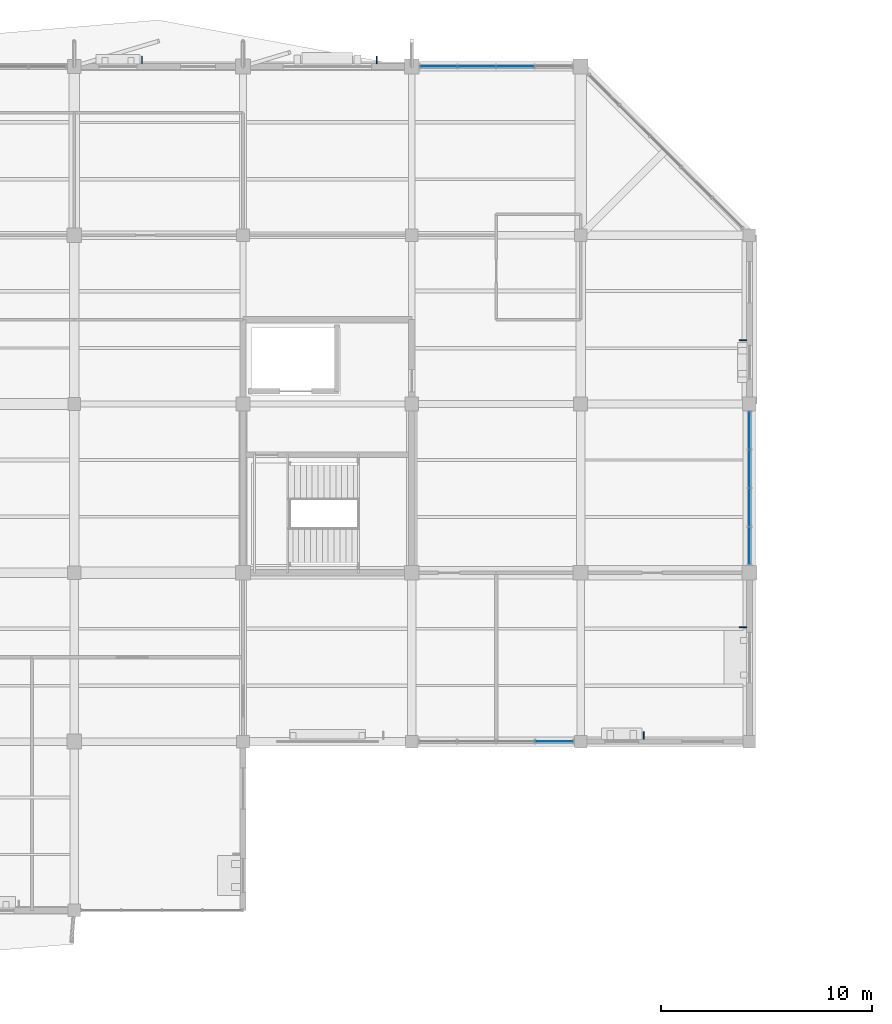
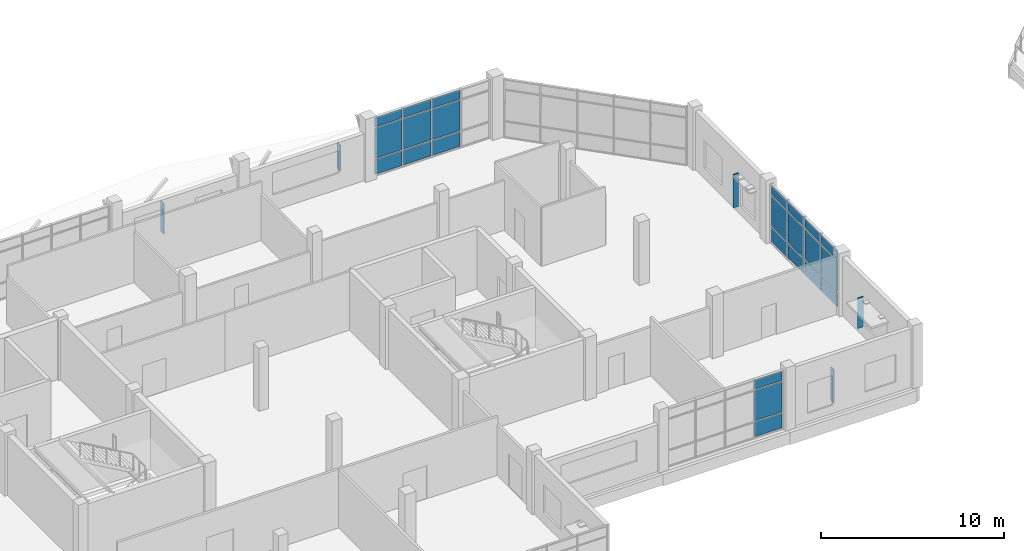
# One storey, part 65 of 84: 29 plates, 3 elements without a shape of their own.
"""IFC4 building model written with IfcOpenShell, lengths in metres."""

import ifcopenshell
import ifcopenshell.guid

model = None  # the IFC model being written
_history = None  # IfcOwnerHistory: only IFC2X3 demands one
_inside = {}  # id of a spatial element -> (the spatial element, [elements in it])
_under = {}  # id of a project, library or spatial element -> (it, [spatial elements below it])
_declared = {}  # id of a project -> (the project, [libraries it declares])
_typed = {}  # id of a type object -> (the type object, [elements of that type])
_made_of = {}  # id of a material, layer set ... -> (it, [elements and type objects made of it])


def new_model(schema):
    """Start an empty IFC model of exactly this schema.

    Asked for "IFC4X3", IfcOpenShell would pick the latest addendum, in which some entities
    have other attributes; the version numbers below select the first issue.
    IFC2X3 requires an IfcOwnerHistory on every rooted entity: one is made here for all.
    """
    global model, _history
    if schema == "IFC4X3":
        model = ifcopenshell.file(schema_version=(4, 3, 0, 0))
    else:
        model = ifcopenshell.file(schema=schema)
    _inside.clear()
    _under.clear()
    _declared.clear()
    _typed.clear()
    _made_of.clear()
    _history = None
    if model.schema == "IFC2X3":
        org = make("IfcOrganization", Name="unknown")
        user = make(
            "IfcPersonAndOrganization",
            ThePerson=make("IfcPerson", FamilyName="unknown"),
            TheOrganization=org,
        )
        app = make(
            "IfcApplication",
            ApplicationDeveloper=org,
            Version="unknown",
            ApplicationFullName="unknown",
            ApplicationIdentifier="unknown",
        )
        _history = make(
            "IfcOwnerHistory",
            OwningUser=user,
            OwningApplication=app,
            ChangeAction="ADDED",
            CreationDate=0,
        )
    return model


def make(cls, **values):
    """One entity of the class cls with the attributes given. An attribute that is None is left unset."""
    return model.create_entity(
        cls, **{name: value for name, value in values.items() if value is not None}
    )


def rooted(cls, **values):
    """An entity with a GlobalId (a new one), such as an element, a storey or a relation."""
    return make(cls, GlobalId=ifcopenshell.guid.new(), OwnerHistory=_history, **values)


def si_unit(unit_type, name, prefix=None):
    """IfcSIUnit, for example si_unit("LENGTHUNIT", "METRE", prefix="MILLI")."""
    return make("IfcSIUnit", UnitType=unit_type, Prefix=prefix, Name=name)


def assignment(units):
    """IfcUnitAssignment: the units of a project."""
    return None if units is None else make("IfcUnitAssignment", Units=units)


def point(xyz):
    """IfcCartesianPoint."""
    return None if xyz is None else make("IfcCartesianPoint", Coordinates=xyz)


def direction(xyz):
    """IfcDirection."""
    return None if xyz is None else make("IfcDirection", DirectionRatios=xyz)


def frame(location, z_axis=None, x_axis=None):
    """IfcAxis2Placement3D, a coordinate frame: its origin and axes. An axis left out is left unset."""
    return make(
        "IfcAxis2Placement3D",
        Location=point(location),
        Axis=direction(z_axis),
        RefDirection=direction(x_axis),
    )


def frame_2d(location, x_axis=None):
    """IfcAxis2Placement2D, a coordinate frame in the plane: its origin and x axis."""
    return make(
        "IfcAxis2Placement2D", Location=point(location), RefDirection=direction(x_axis)
    )


def origin():
    """The frame at (0, 0, 0) with its axes left unset."""
    return frame((0.0, 0.0, 0.0))


def origin_2d():
    """The frame at (0, 0) in the plane with its x axis left unset."""
    return frame_2d((0.0, 0.0))


def place(relative_to, where):
    """IfcLocalPlacement: puts the frame where relative to a parent placement (None: the world)."""
    return make(
        "IfcLocalPlacement", PlacementRelTo=relative_to, RelativePlacement=where
    )


def context(
    kind, dimensions, precision=None, world=None, true_north=None, identifier=None
):
    """IfcGeometricRepresentationContext, for example the 3D "Model" context."""
    return make(
        "IfcGeometricRepresentationContext",
        ContextIdentifier=identifier,
        ContextType=kind,
        CoordinateSpaceDimension=dimensions,
        Precision=precision,
        WorldCoordinateSystem=world,
        TrueNorth=true_north,
    )


def subcontext(parent, identifier, kind, view, scale=None):
    """IfcGeometricRepresentationSubContext, for example "Body" below "Model"."""
    return make(
        "IfcGeometricRepresentationSubContext",
        ContextIdentifier=identifier,
        ContextType=kind,
        ParentContext=parent,
        TargetScale=scale,
        TargetView=view,
    )


def project(units=None, contexts=None):
    """IfcProject with its units and contexts."""
    return rooted(
        "IfcProject",
        Name="project",
        RepresentationContexts=contexts,
        UnitsInContext=assignment(units),
    )


def spatial(cls, under=None, at=None, **own):
    """A site, building, storey or space (cls), placed at a placement, below another one or the project."""
    s = rooted(cls, ObjectPlacement=at, **own)
    if under is not None:
        _under.setdefault(under.id(), (under, []))[1].append(s)
    return s


def profile(cls, at=None, kind="AREA", **sizes):
    """A parametric profile (cls). Its sizes go by their IFC names, for example OverallWidth=200.0."""
    return make(cls, ProfileType=kind, Position=at, **sizes)


def rectangle(**sizes):
    """IfcRectangleProfileDef."""
    return profile("IfcRectangleProfileDef", **sizes)


def extrude(swept, where, along, depth):
    """IfcExtrudedAreaSolid: the profile swept, set in the frame where, extruded along a direction by depth."""
    return make(
        "IfcExtrudedAreaSolid",
        SweptArea=swept,
        Position=where,
        ExtrudedDirection=direction(along),
        Depth=depth,
    )


def shape(context_of_items, identifier, shape_type, items):
    """IfcShapeRepresentation: the items that make up one representation, for example the "Body"."""
    return make(
        "IfcShapeRepresentation",
        ContextOfItems=context_of_items,
        RepresentationIdentifier=identifier,
        RepresentationType=shape_type,
        Items=items,
    )


def material(Name=None, Category=None):
    """IfcMaterial."""
    return make("IfcMaterial", Name=Name, Category=Category)


def layer(
    of_material, thickness, ventilated=None, Name=None, Category=None, Priority=None
):
    """IfcMaterialLayer: one layer of a wall or slab, of a material (None: an air gap)."""
    return make(
        "IfcMaterialLayer",
        Material=of_material,
        LayerThickness=thickness,
        IsVentilated=ventilated,
        Name=Name,
        Category=Category,
        Priority=Priority,
    )


def layer_set(layers, Name=None):
    """IfcMaterialLayerSet."""
    return make("IfcMaterialLayerSet", MaterialLayers=layers, LayerSetName=Name)


def made_of(thing, what):
    """Note that an element or type object is made of a material, layer set ...; save() writes the relation."""
    if what is not None:
        _made_of.setdefault(what.id(), (what, []))[1].append(thing)
    return thing


def type_object(cls, material=None, **own):
    """A type object (cls), such as IfcWallType, which elements share."""
    return made_of(rooted(cls, **own), material)


def element(
    cls,
    number,
    at=None,
    inside=None,
    cuts=None,
    type_object=None,
    material=None,
    context=None,
    identifier="Body",
    shape_type=None,
    held_by="IfcProductDefinitionShape",
    body=None,
    shapes=None,
    **own,
):
    """One element of the class cls, such as IfcWall. Its Tag is "e" and its number.

    at: its placement. inside: the storey or other place that contains it. cuts: it is an
    opening in that element (IfcRelVoidsElement). A single representation is given by context,
    identifier, shape_type and body (its items); several are given by shapes. held_by: the class
    of the entity that holds the representations. save() writes the other relations.
    """
    e = rooted(cls, Tag="e%d" % number, ObjectPlacement=at, **own)
    if body is not None:
        shapes = [shape(context, identifier, shape_type, body)]
    if shapes is not None:
        e.Representation = make(held_by, Representations=shapes)
    if inside is not None:
        _inside.setdefault(inside.id(), (inside, []))[1].append(e)
    if cuts is not None:
        rooted(
            "IfcRelVoidsElement", RelatingBuildingElement=cuts, RelatedOpeningElement=e
        )
    if type_object is not None:
        _typed.setdefault(type_object.id(), (type_object, []))[1].append(e)
    return made_of(e, material)


def aggregate(whole, parts):
    """IfcRelAggregates: a whole, such as a stair, and the parts it consists of."""
    return rooted("IfcRelAggregates", RelatingObject=whole, RelatedObjects=parts)


def save(model, path):
    """Write the relations noted so far, then the file.

    IfcRelAggregates (storeys below a building ...), IfcRelContainedInSpatialStructure (elements
    in a storey), IfcRelDefinesByType, IfcRelAssociatesMaterial and IfcRelDeclares: one each for
    every whole, place, type object, material and project.
    """
    for whole, parts in _under.values():
        aggregate(whole, parts)
    for where, things in _inside.values():
        rooted(
            "IfcRelContainedInSpatialStructure",
            RelatedElements=things,
            RelatingStructure=where,
        )
    for kind, things in _typed.values():
        rooted("IfcRelDefinesByType", RelatedObjects=things, RelatingType=kind)
    for what, things in _made_of.values():
        rooted("IfcRelAssociatesMaterial", RelatedObjects=things, RelatingMaterial=what)
    for by, libraries in _declared.values():
        rooted("IfcRelDeclares", RelatingContext=by, RelatedDefinitions=libraries)
    model.write(path)


model = new_model("IFC4")

# Units and contexts
model_context = context("Model", 3, precision=1e-05, world=origin(), true_north=direction((0.0, 1.0)))
body_context = subcontext(model_context, "Body", "Model", "MODEL_VIEW")
ifc_project = project(units=[si_unit("LENGTHUNIT", "METRE"), si_unit("AREAUNIT", "SQUARE_METRE"), si_unit("VOLUMEUNIT", "CUBIC_METRE"), si_unit("PLANEANGLEUNIT", "RADIAN"), si_unit("MASSUNIT", "GRAM", prefix="KILO")], contexts=[model_context])

# Site, building, storey
site_placement = place(None, origin())
site = spatial("IfcSite", under=ifc_project, at=site_placement, CompositionType="ELEMENT")
building_placement = place(site_placement, origin())
building = spatial("IfcBuilding", under=site, at=building_placement, Name="Tenunan Teduh Sports Hall", CompositionType="ELEMENT")
storey_placement = place(building_placement, frame((0.0, 0.0, 10.800048828125)))
storey = spatial("IfcBuildingStorey", under=building, at=storey_placement, Name="L02", CompositionType="ELEMENT", Elevation=10.800048828125)

# Curtain wall, plates
ifc_material_1 = material(Name="Anodised aluminium", Category="aluminium")
curtain_wall_type = type_object("IfcCurtainWallType", Name="CW-UNIT-2", PredefinedType="NOTDEFINED", material=ifc_material_1)
curtain_wall_1_placement = place(storey_placement, origin())
curtain_wall_1 = element("IfcCurtainWall", 1, at=curtain_wall_1_placement, inside=storey, type_object=curtain_wall_type, Name="CW-CWM-200-L02-212", PredefinedType="NOTDEFINED")
ifc_material_2 = material(Name="Low-E laminated double glazing", Category="glass")
ifc_layer_1 = layer(ifc_material_2, 0.028076171875)
ifc_layer_set_1 = layer_set([ifc_layer_1], Name="Low-E laminated double glazing")
plate_type_1 = type_object("IfcPlateType", Name="CWP-GLZ-28", PredefinedType="CURTAIN_PANEL", material=ifc_layer_set_1)
plate_1_placement = place(storey_placement, frame((68.757568359375, 86.0, 1.134765625), z_axis=(0.0, 0.0, 1.0), x_axis=(1.0, 0.0, 0.0)))
plate_1 = element("IfcPlate", 2, at=plate_1_placement, type_object=plate_type_1, Name="CW-02 panel 4.2", PredefinedType="CURTAIN_PANEL", context=body_context, shape_type="SweptSolid", body=[
    extrude(rectangle(XDim=1.7451171875, YDim=0.028076171875, at=origin_2d()), origin(), (0.0, 0.0, 1.0), 2.030029296875),
])
plate_2_placement = place(storey_placement, frame((68.757568359375, 86.0, 3.23486328125), z_axis=(0.0, 0.0, 1.0), x_axis=(1.0, 0.0, 0.0)))
plate_2 = element("IfcPlate", 3, at=plate_2_placement, type_object=plate_type_1, Name="CW-02 panel 4.3", PredefinedType="CURTAIN_PANEL", context=body_context, shape_type="SweptSolid", body=[
    extrude(rectangle(XDim=1.7451171875, YDim=0.028076171875, at=origin_2d()), origin(), (0.0, 0.0, 1.0), 0.614990234375),
])

curtain_wall_2_placement = place(storey_placement, origin())
curtain_wall_2 = element("IfcCurtainWall", 4, at=curtain_wall_2_placement, inside=storey, type_object=curtain_wall_type, Name="CW-CWM-220-L02-213", PredefinedType="NOTDEFINED")
ifc_material_3 = material(Name="Solar-control laminated glazing", Category="glass")
ifc_layer_2 = layer(ifc_material_3, 0.031982421875)
ifc_layer_set_2 = layer_set([ifc_layer_2], Name="Solar-control laminated glazing")
plate_type_2 = type_object("IfcPlateType", Name="CWP-GLZ-32", PredefinedType="CURTAIN_PANEL", material=ifc_layer_set_2)
plate_3_placement = place(storey_placement, frame((78.0, 95.284423828125, 1.137451171875), z_axis=(0.0, 0.0, 1.0), x_axis=(0.0, 1.0, 0.0)))
plate_3 = element("IfcPlate", 5, at=plate_3_placement, type_object=plate_type_2, Name="CW-02 panel 1.2", PredefinedType="CURTAIN_PANEL", context=body_context, shape_type="SweptSolid", body=[
    extrude(rectangle(XDim=1.71875, YDim=0.031982421875, at=origin_2d()), origin(), (0.0, 0.0, 1.0), 2.02490234375),
])
plate_4_placement = place(storey_placement, frame((78.0, 95.284423828125, 3.237548828125), z_axis=(0.0, 0.0, 1.0), x_axis=(0.0, 1.0, 0.0)))
plate_4 = element("IfcPlate", 6, at=plate_4_placement, type_object=plate_type_2, Name="CW-02 panel 1.3", PredefinedType="CURTAIN_PANEL", context=body_context, shape_type="SweptSolid", body=[
    extrude(rectangle(XDim=1.71875, YDim=0.031982421875, at=origin_2d()), origin(), (0.0, 0.0, 1.0), 0.607421875),
])
plate_5_placement = place(storey_placement, frame((78.0, 97.096923828125, 1.137451171875), z_axis=(0.0, 0.0, 1.0), x_axis=(0.0, 1.0, 0.0)))
plate_5 = element("IfcPlate", 7, at=plate_5_placement, type_object=plate_type_2, Name="CW-02 panel 2.2", PredefinedType="CURTAIN_PANEL", context=body_context, shape_type="SweptSolid", body=[
    extrude(rectangle(XDim=1.75634765625, YDim=0.031982421875, at=origin_2d()), origin(), (0.0, 0.0, 1.0), 2.02490234375),
])
plate_6_placement = place(storey_placement, frame((78.0, 97.096923828125, 3.237548828125), z_axis=(0.0, 0.0, 1.0), x_axis=(0.0, 1.0, 0.0)))
plate_6 = element("IfcPlate", 8, at=plate_6_placement, type_object=plate_type_2, Name="CW-02 panel 2.3", PredefinedType="CURTAIN_PANEL", context=body_context, shape_type="SweptSolid", body=[
    extrude(rectangle(XDim=1.75634765625, YDim=0.031982421875, at=origin_2d()), origin(), (0.0, 0.0, 1.0), 0.607421875),
])
plate_7_placement = place(storey_placement, frame((78.0, 98.92822265625, 1.137451171875), z_axis=(0.0, 0.0, 1.0), x_axis=(0.0, 1.0, 0.0)))
plate_7 = element("IfcPlate", 9, at=plate_7_placement, type_object=plate_type_2, Name="CW-02 panel 3.2", PredefinedType="CURTAIN_PANEL", context=body_context, shape_type="SweptSolid", body=[
    extrude(rectangle(XDim=1.75634765625, YDim=0.031982421875, at=origin_2d()), origin(), (0.0, 0.0, 1.0), 2.02490234375),
])
plate_8_placement = place(storey_placement, frame((78.0, 98.92822265625, 3.237548828125), z_axis=(0.0, 0.0, 1.0), x_axis=(0.0, 1.0, 0.0)))
plate_8 = element("IfcPlate", 10, at=plate_8_placement, type_object=plate_type_2, Name="CW-02 panel 3.3", PredefinedType="CURTAIN_PANEL", context=body_context, shape_type="SweptSolid", body=[
    extrude(rectangle(XDim=1.75634765625, YDim=0.031982421875, at=origin_2d()), origin(), (0.0, 0.0, 1.0), 0.607421875),
])
plate_9_placement = place(storey_placement, frame((78.0, 100.74072265625, 1.137451171875), z_axis=(0.0, 0.0, 1.0), x_axis=(0.0, 1.0, 0.0)))
plate_9 = element("IfcPlate", 11, at=plate_9_placement, type_object=plate_type_2, Name="CW-02 panel 4.2", PredefinedType="CURTAIN_PANEL", context=body_context, shape_type="SweptSolid", body=[
    extrude(rectangle(XDim=1.71875, YDim=0.031982421875, at=origin_2d()), origin(), (0.0, 0.0, 1.0), 2.02490234375),
])
plate_10_placement = place(storey_placement, frame((78.0, 100.74072265625, 3.237548828125), z_axis=(0.0, 0.0, 1.0), x_axis=(0.0, 1.0, 0.0)))
plate_10 = element("IfcPlate", 12, at=plate_10_placement, type_object=plate_type_2, Name="CW-02 panel 4.3", PredefinedType="CURTAIN_PANEL", context=body_context, shape_type="SweptSolid", body=[
    extrude(rectangle(XDim=1.71875, YDim=0.031982421875, at=origin_2d()), origin(), (0.0, 0.0, 1.0), 0.607421875),
])

curtain_wall_3_placement = place(storey_placement, origin())
curtain_wall_3 = element("IfcCurtainWall", 13, at=curtain_wall_3_placement, inside=storey, type_object=curtain_wall_type, Name="CW-CWM-220-L02-217", PredefinedType="NOTDEFINED")
plate_11_placement = place(storey_placement, frame((63.28125, 118.0, 1.137451171875), z_axis=(0.0, 0.0, 1.0), x_axis=(1.0, 0.0, 0.0)))
plate_11 = element("IfcPlate", 14, at=plate_11_placement, type_object=plate_type_2, Name="CW-02 panel 1.2", PredefinedType="CURTAIN_PANEL", context=body_context, shape_type="SweptSolid", body=[
    extrude(rectangle(XDim=1.71240234375, YDim=0.031982421875, at=origin_2d()), origin(), (0.0, 0.0, 1.0), 2.02490234375),
])
plate_12_placement = place(storey_placement, frame((63.28125, 118.0, 3.237548828125), z_axis=(0.0, 0.0, 1.0), x_axis=(1.0, 0.0, 0.0)))
plate_12 = element("IfcPlate", 15, at=plate_12_placement, type_object=plate_type_2, Name="CW-02 panel 1.3", PredefinedType="CURTAIN_PANEL", context=body_context, shape_type="SweptSolid", body=[
    extrude(rectangle(XDim=1.71240234375, YDim=0.031982421875, at=origin_2d()), origin(), (0.0, 0.0, 1.0), 0.607421875),
])
plate_13_placement = place(storey_placement, frame((65.08740234375, 118.0, 1.137451171875), z_axis=(0.0, 0.0, 1.0), x_axis=(1.0, 0.0, 0.0)))
plate_13 = element("IfcPlate", 16, at=plate_13_placement, type_object=plate_type_2, Name="CW-02 panel 2.2", PredefinedType="CURTAIN_PANEL", context=body_context, shape_type="SweptSolid", body=[
    extrude(rectangle(XDim=1.75, YDim=0.031982421875, at=origin_2d()), origin(), (0.0, 0.0, 1.0), 2.02490234375),
])
plate_14_placement = place(storey_placement, frame((65.08740234375, 118.0, 3.237548828125), z_axis=(0.0, 0.0, 1.0), x_axis=(1.0, 0.0, 0.0)))
plate_14 = element("IfcPlate", 17, at=plate_14_placement, type_object=plate_type_2, Name="CW-02 panel 2.3", PredefinedType="CURTAIN_PANEL", context=body_context, shape_type="SweptSolid", body=[
    extrude(rectangle(XDim=1.75, YDim=0.031982421875, at=origin_2d()), origin(), (0.0, 0.0, 1.0), 0.607421875),
])
plate_15_placement = place(storey_placement, frame((66.91259765625, 118.0, 1.137451171875), z_axis=(0.0, 0.0, 1.0), x_axis=(1.0, 0.0, 0.0)))
plate_15 = element("IfcPlate", 18, at=plate_15_placement, type_object=plate_type_2, Name="CW-02 panel 3.2", PredefinedType="CURTAIN_PANEL", context=body_context, shape_type="SweptSolid", body=[
    extrude(rectangle(XDim=1.75, YDim=0.031982421875, at=origin_2d()), origin(), (0.0, 0.0, 1.0), 2.02490234375),
])
plate_16_placement = place(storey_placement, frame((66.91259765625, 118.0, 3.237548828125), z_axis=(0.0, 0.0, 1.0), x_axis=(1.0, 0.0, 0.0)))
plate_16 = element("IfcPlate", 19, at=plate_16_placement, type_object=plate_type_2, Name="CW-02 panel 3.3", PredefinedType="CURTAIN_PANEL", context=body_context, shape_type="SweptSolid", body=[
    extrude(rectangle(XDim=1.75, YDim=0.031982421875, at=origin_2d()), origin(), (0.0, 0.0, 1.0), 0.607421875),
])

# Plate
ifc_material_4 = material(Name="Insulated aluminium spandrel panel", Category="aluminium")
ifc_layer_3 = layer(ifc_material_4, 0.044921875)
ifc_layer_set_3 = layer_set([ifc_layer_3], Name="Insulated aluminium spandrel panel")
plate_type_3 = type_object("IfcPlateType", Name="CWP-SPN-45", PredefinedType="CURTAIN_PANEL", material=ifc_layer_set_3)
plate_17_placement = place(storey_placement, frame((68.757568359375, 86.0, 0.06982421875), z_axis=(0.0, 0.0, 1.0), x_axis=(1.0, 0.0, 0.0)))
plate_17 = element("IfcPlate", 20, at=plate_17_placement, type_object=plate_type_3, Name="CW-02 panel 4.1", PredefinedType="CURTAIN_PANEL", context=body_context, shape_type="SweptSolid", body=[
    extrude(rectangle(XDim=1.7451171875, YDim=0.028076171875, at=origin_2d()), origin(), (0.0, 0.0, 1.0), 0.9951171875),
])

aggregate(curtain_wall_1, [plate_17, plate_1, plate_2])

plate_18_placement = place(storey_placement, frame((78.0, 95.284423828125, 0.07470703125), z_axis=(0.0, 0.0, 1.0), x_axis=(0.0, 1.0, 0.0)))
plate_18 = element("IfcPlate", 21, at=plate_18_placement, type_object=plate_type_3, Name="CW-02 panel 1.1", PredefinedType="CURTAIN_PANEL", context=body_context, shape_type="SweptSolid", body=[
    extrude(rectangle(XDim=1.71875, YDim=0.031982421875, at=origin_2d()), origin(), (0.0, 0.0, 1.0), 0.987548828125),
])

plate_19_placement = place(storey_placement, frame((78.0, 97.096923828125, 0.07470703125), z_axis=(0.0, 0.0, 1.0), x_axis=(0.0, 1.0, 0.0)))
plate_19 = element("IfcPlate", 22, at=plate_19_placement, type_object=plate_type_3, Name="CW-02 panel 2.1", PredefinedType="CURTAIN_PANEL", context=body_context, shape_type="SweptSolid", body=[
    extrude(rectangle(XDim=1.75634765625, YDim=0.031982421875, at=origin_2d()), origin(), (0.0, 0.0, 1.0), 0.987548828125),
])

plate_20_placement = place(storey_placement, frame((78.0, 98.92822265625, 0.07470703125), z_axis=(0.0, 0.0, 1.0), x_axis=(0.0, 1.0, 0.0)))
plate_20 = element("IfcPlate", 23, at=plate_20_placement, type_object=plate_type_3, Name="CW-02 panel 3.1", PredefinedType="CURTAIN_PANEL", context=body_context, shape_type="SweptSolid", body=[
    extrude(rectangle(XDim=1.75634765625, YDim=0.031982421875, at=origin_2d()), origin(), (0.0, 0.0, 1.0), 0.987548828125),
])

plate_21_placement = place(storey_placement, frame((78.0, 100.74072265625, 0.07470703125), z_axis=(0.0, 0.0, 1.0), x_axis=(0.0, 1.0, 0.0)))
plate_21 = element("IfcPlate", 24, at=plate_21_placement, type_object=plate_type_3, Name="CW-02 panel 4.1", PredefinedType="CURTAIN_PANEL", context=body_context, shape_type="SweptSolid", body=[
    extrude(rectangle(XDim=1.71875, YDim=0.031982421875, at=origin_2d()), origin(), (0.0, 0.0, 1.0), 0.987548828125),
])

aggregate(curtain_wall_2, [plate_18, plate_3, plate_4, plate_19, plate_5, plate_6, plate_20, plate_7, plate_8, plate_21, plate_9, plate_10])

plate_22_placement = place(storey_placement, frame((63.28125, 118.0, 0.07470703125), z_axis=(0.0, 0.0, 1.0), x_axis=(1.0, 0.0, 0.0)))
plate_22 = element("IfcPlate", 25, at=plate_22_placement, type_object=plate_type_3, Name="CW-02 panel 1.1", PredefinedType="CURTAIN_PANEL", context=body_context, shape_type="SweptSolid", body=[
    extrude(rectangle(XDim=1.71240234375, YDim=0.031982421875, at=origin_2d()), origin(), (0.0, 0.0, 1.0), 0.987548828125),
])

plate_23_placement = place(storey_placement, frame((65.08740234375, 118.0, 0.07470703125), z_axis=(0.0, 0.0, 1.0), x_axis=(1.0, 0.0, 0.0)))
plate_23 = element("IfcPlate", 26, at=plate_23_placement, type_object=plate_type_3, Name="CW-02 panel 2.1", PredefinedType="CURTAIN_PANEL", context=body_context, shape_type="SweptSolid", body=[
    extrude(rectangle(XDim=1.75, YDim=0.031982421875, at=origin_2d()), origin(), (0.0, 0.0, 1.0), 0.987548828125),
])

plate_24_placement = place(storey_placement, frame((66.91259765625, 118.0, 0.07470703125), z_axis=(0.0, 0.0, 1.0), x_axis=(1.0, 0.0, 0.0)))
plate_24 = element("IfcPlate", 27, at=plate_24_placement, type_object=plate_type_3, Name="CW-02 panel 3.1", PredefinedType="CURTAIN_PANEL", context=body_context, shape_type="SweptSolid", body=[
    extrude(rectangle(XDim=1.75, YDim=0.031982421875, at=origin_2d()), origin(), (0.0, 0.0, 1.0), 0.987548828125),
])

aggregate(curtain_wall_3, [plate_22, plate_11, plate_12, plate_23, plate_13, plate_14, plate_24, plate_15, plate_16])

# Plates
ifc_material_5 = material(Name="Anodised aluminium", Category="aluminium")
ifc_layer_4 = layer(ifc_material_5, 1.89990234375)
ifc_layer_set_4 = layer_set([ifc_layer_4], Name="Anodised aluminium")
plate_type_4 = type_object("IfcPlateType", Name="PLT-FIN-1", PredefinedType="SHEET", material=ifc_layer_set_4)
plate_25_placement = place(storey_placement, frame((72.989990234375, 86.284912109375, 0.43017578125), z_axis=(0.0, 0.0, 1.0), x_axis=(1.0, 0.0, 0.0)))
element("IfcPlate", 28, at=plate_25_placement, inside=storey, type_object=plate_type_4, Name="PLT-FIN-L02-043", PredefinedType="SHEET", context=body_context, shape_type="SweptSolid", body=[
    extrude(rectangle(XDim=0.0400390625, YDim=0.360107421875, at=origin_2d()), origin(), (0.0, 0.0, 1.0), 2.239990234375),
])
plate_26_placement = place(storey_placement, frame((77.699951171875, 91.419921875, 0.6298828125), z_axis=(0.0, 0.0, 1.0), x_axis=(0.0, 1.0, 0.0)))
element("IfcPlate", 29, at=plate_26_placement, inside=storey, type_object=plate_type_4, Name="PLT-FIN-L02-044", PredefinedType="SHEET", context=body_context, shape_type="SweptSolid", body=[
    extrude(rectangle(XDim=0.0400390625, YDim=0.360107421875, at=origin_2d()), origin(), (0.0, 0.0, 1.0), 2.0400390625),
])
plate_27_placement = place(storey_placement, frame((77.695068359375, 105.014892578125, 0.43017578125), z_axis=(0.0, 0.0, 1.0), x_axis=(0.0, 1.0, 0.0)))
element("IfcPlate", 30, at=plate_27_placement, inside=storey, type_object=plate_type_4, Name="PLT-FIN-L02-045", PredefinedType="SHEET", context=body_context, shape_type="SweptSolid", body=[
    extrude(rectangle(XDim=0.0400390625, YDim=0.360107421875, at=origin_2d()), origin(), (0.0, 0.0, 1.0), 2.239990234375),
])
plate_28_placement = place(storey_placement, frame((49.215087890625, 118.304931640625, 0.6298828125), z_axis=(0.0, 0.0, 1.0), x_axis=(1.0, 0.0, 0.0)))
element("IfcPlate", 31, at=plate_28_placement, inside=storey, type_object=plate_type_4, Name="PLT-FIN-L02-048", PredefinedType="SHEET", context=body_context, shape_type="SweptSolid", body=[
    extrude(rectangle(XDim=0.0400390625, YDim=0.360107421875, at=origin_2d()), origin(), (0.0, 0.0, 1.0), 2.0400390625),
])
plate_29_placement = place(storey_placement, frame((60.340087890625, 118.300048828125, 0.93017578125), z_axis=(0.0, 0.0, 1.0), x_axis=(1.0, 0.0, 0.0)))
element("IfcPlate", 32, at=plate_29_placement, inside=storey, type_object=plate_type_4, Name="PLT-FIN-L02-049", PredefinedType="SHEET", context=body_context, shape_type="SweptSolid", body=[
    extrude(rectangle(XDim=0.0400390625, YDim=0.360107421875, at=origin_2d()), origin(), (0.0, 0.0, 1.0), 1.739990234375),
])

save(model, "model.ifc")
